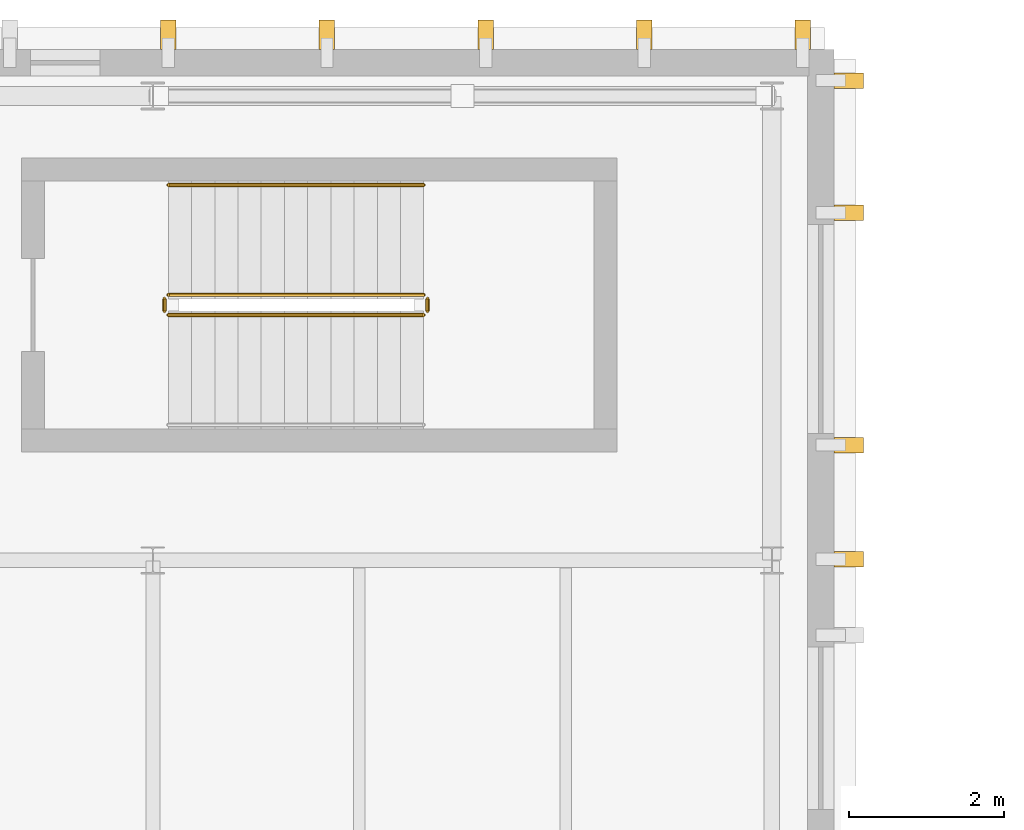
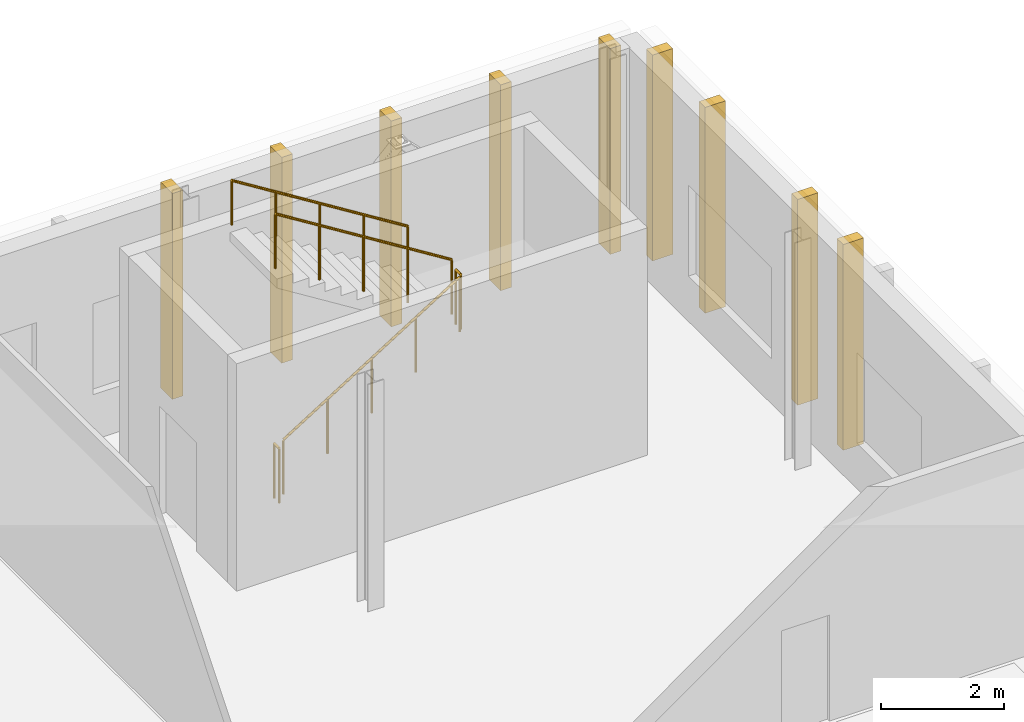
# One storey, part 96 of 100: 9 coverings, 5 railings.
"""IFC4 building model written with IfcOpenShell, lengths in metres."""

from ifc_helpers import new_model, si_unit, direction, frame, origin, origin_2d, place, context, subcontext, project, spatial, rectangle, circle, extrude, material, layer, layer_set, type_object, element, save


model = new_model("IFC4")

# Units and contexts
model_context = context("Model", 3, precision=1e-05, world=origin(), true_north=direction((0.0, 1.0)))
body_context = subcontext(model_context, "Body", "Model", "MODEL_VIEW")
ifc_project = project(units=[si_unit("LENGTHUNIT", "METRE"), si_unit("AREAUNIT", "SQUARE_METRE"), si_unit("VOLUMEUNIT", "CUBIC_METRE"), si_unit("PLANEANGLEUNIT", "RADIAN"), si_unit("MASSUNIT", "GRAM", prefix="KILO")], contexts=[model_context])

# Site, building, storey
site_placement = place(None, origin())
site = spatial("IfcSite", under=ifc_project, at=site_placement, CompositionType="ELEMENT")
building_placement = place(site_placement, origin())
building = spatial("IfcBuilding", under=site, at=building_placement, Name="Cymarion Research Institute", CompositionType="ELEMENT")
storey_placement = place(building_placement, frame((0.0, 0.0, 9.300048828125)))
storey = spatial("IfcBuildingStorey", under=building, at=storey_placement, Name="L02", CompositionType="ELEMENT", Elevation=9.300048828125)

# Railings
ifc_material_1 = material(Name="Steel S355", Category="steel")
railing_type_1 = type_object("IfcRailingType", Name="PAINTED STEEL STAIR GUARDRAIL GR1 1100MM", PredefinedType="GUARDRAIL", material=ifc_material_1)
railing_1_placement = place(storey_placement, frame((38.800048828125, 112.669921875, 0.1875)))
element("IfcRailing", 1, at=railing_1_placement, inside=storey, type_object=railing_type_1, Name="L02 ST10 stair guard 1", PredefinedType="GUARDRAIL", context=body_context, shape_type="SweptSolid", body=[
    extrude(circle(Radius=0.02392578125, at=origin_2d()), frame((0.0, 0.0, 1.076171875), z_axis=(0.848001828478, 0.0, 0.529993300805), x_axis=(0.0, 1.0, 0.0)), (0.0, 0.0, 1.0), 3.8916015625),
    extrude(circle(Radius=0.02099609375, at=origin_2d()), origin(), (0.0, 0.0, 1.0), 1.052001953125),
    extrude(circle(Radius=0.02099609375, at=origin_2d()), frame((0.824951171875, 0.0, 0.515625)), (0.0, 0.0, 1.0), 1.052001953125),
    extrude(circle(Radius=0.02099609375, at=origin_2d()), frame((1.64990234375, 0.0, 1.03125)), (0.0, 0.0, 1.0), 1.052001953125),
    extrude(circle(Radius=0.02099609375, at=origin_2d()), frame((2.47509765625, 0.0, 1.546875)), (0.0, 0.0, 1.0), 1.052001953125),
    extrude(circle(Radius=0.02099609375, at=origin_2d()), frame((3.300048828125, 0.0, 2.0625)), (0.0, 0.0, 1.0), 1.052001953125),
])
railing_2_placement = place(storey_placement, frame((42.14990234375, 112.719970703125, 2.25)))
element("IfcRailing", 2, at=railing_2_placement, inside=storey, type_object=railing_type_1, Name="L02 ST10 stair guard 2", PredefinedType="GUARDRAIL", context=body_context, shape_type="SweptSolid", body=[
    extrude(circle(Radius=0.02392578125, at=origin_2d()), frame((0.0, 0.0, 1.076171875), z_axis=(0.0, 1.0, 0.0), x_axis=(-1.0, 0.0, 0.0)), (0.0, 0.0, 1.0), 0.159912109375),
    extrude(circle(Radius=0.02099609375, at=origin_2d()), origin(), (0.0, 0.0, 1.0), 1.052001953125),
    extrude(circle(Radius=0.02099609375, at=origin_2d()), frame((0.0, 0.159912109375, 0.0)), (0.0, 0.0, 1.0), 1.052001953125),
])
railing_3_placement = place(storey_placement, frame((42.10009765625, 112.929931640625, 2.4375)))
element("IfcRailing", 3, at=railing_3_placement, inside=storey, type_object=railing_type_1, Name="L02 ST10 stair guard 3", PredefinedType="GUARDRAIL", context=body_context, shape_type="SweptSolid", body=[
    extrude(circle(Radius=0.02392578125, at=origin_2d()), frame((0.0, 0.0, 1.076171875), z_axis=(-0.848001828478, 0.0, 0.529993300805), x_axis=(0.0, -1.0, 0.0)), (0.0, 0.0, 1.0), 3.8916015625),
    extrude(circle(Radius=0.02099609375, at=origin_2d()), origin(), (0.0, 0.0, 1.0), 1.052001953125),
    extrude(circle(Radius=0.02099609375, at=origin_2d()), frame((-0.824951171875, 0.0, 0.515625)), (0.0, 0.0, 1.0), 1.052001953125),
    extrude(circle(Radius=0.02099609375, at=origin_2d()), frame((-1.64990234375, 0.0, 1.03125)), (0.0, 0.0, 1.0), 1.052001953125),
    extrude(circle(Radius=0.02099609375, at=origin_2d()), frame((-2.47509765625, 0.0, 1.546875)), (0.0, 0.0, 1.0), 1.052001953125),
    extrude(circle(Radius=0.02099609375, at=origin_2d()), frame((-3.300048828125, 0.0, 2.0625)), (0.0, 0.0, 1.0), 1.052001953125),
])
railing_4_placement = place(storey_placement, frame((38.75, 112.719970703125, 0.0)))
element("IfcRailing", 4, at=railing_4_placement, inside=storey, type_object=railing_type_1, Name="L02 ST10 stair guard 4", PredefinedType="GUARDRAIL", context=body_context, shape_type="SweptSolid", body=[
    extrude(circle(Radius=0.02392578125, at=origin_2d()), frame((0.0, 0.0, 1.076171875), z_axis=(0.0, 1.0, 0.0), x_axis=(-1.0, 0.0, 0.0)), (0.0, 0.0, 1.0), 0.159912109375),
    extrude(circle(Radius=0.02099609375, at=origin_2d()), origin(), (0.0, 0.0, 1.0), 1.052001953125),
    extrude(circle(Radius=0.02099609375, at=origin_2d()), frame((0.0, 0.159912109375, 0.0)), (0.0, 0.0, 1.0), 1.052001953125),
])

# Coverings
ifc_material_2 = material(Name="Precast concrete C45/55 architectural white", Category="concrete")
ifc_layer = layer(ifc_material_2, 0.199951171875)
ifc_layer_set = layer_set([ifc_layer], Name="Precast concrete C45/55 architectural white")
covering_type = type_object("IfcCoveringType", Name="SCULPTURAL WHITE PRECAST CONCRETE VERTICAL RIB RIB1 380X200", PredefinedType="CLADDING", material=ifc_layer_set)
for number, where, z_axis, x_axis, name in (
    (5, (47.592041015625, 109.515380859375, 0.009765625), (0.0, 0.0, 1.0), (1.0, 0.0, 0.0), "L02 V5 sculptural precast vertical rib RIB1 #622"),
    (6, (47.592041015625, 110.98974609375, 0.009765625), (0.0, 0.0, 1.0), (1.0, 0.0, 0.0), "L02 V5 sculptural precast vertical rib RIB1 #623"),
    (7, (47.592041015625, 113.98974609375, 0.009765625), (0.0, 0.0, 1.0), (1.0, 0.0, 0.0), "L02 V5 sculptural precast vertical rib RIB1 #624"),
    (8, (47.592041015625, 115.699951171875, 0.009765625), (0.0, 0.0, 1.0), (1.0, 0.0, 0.0), "L02 V5 sculptural precast vertical rib RIB1 #625"),
    (9, (47.0, 116.2919921875, 0.009765625), (0.0, 0.0, 1.0), (0.0, 1.0, 0.0), "L02 V5 sculptural precast vertical rib RIB1 #627"),
    (10, (44.949951171875, 116.2919921875, 0.009765625), (0.0, 0.0, 1.0), (0.0, 1.0, 0.0), "L02 V5 sculptural precast vertical rib RIB1 #628"),
    (11, (42.89990234375, 116.2919921875, 0.009765625), (0.0, 0.0, 1.0), (0.0, 1.0, 0.0), "L02 V5 sculptural precast vertical rib RIB1 #629"),
    (12, (40.85009765625, 116.2919921875, 0.009765625), (0.0, 0.0, 1.0), (0.0, 1.0, 0.0), "L02 V5 sculptural precast vertical rib RIB1 #630"),
    (13, (38.800048828125, 116.2919921875, 0.009765625), (0.0, 0.0, 1.0), (0.0, 1.0, 0.0), "L02 V5 sculptural precast vertical rib RIB1 #631"),
):
    element("IfcCovering", number, at=place(storey_placement, frame(where, z_axis=z_axis, x_axis=x_axis)), inside=storey, type_object=covering_type, Name=name, PredefinedType="CLADDING", context=body_context, shape_type="SweptSolid", body=[
        extrude(rectangle(XDim=0.3798828125, YDim=0.199951171875, at=origin_2d()), origin(), (0.0, 0.0, 1.0), 4.074951171875),
    ])

# Railing
railing_type_2 = type_object("IfcRailingType", Name="STAINLESS STEEL STAIR HANDRAIL HR1 900MM", PredefinedType="HANDRAIL", material=ifc_material_1)
railing_5_placement = place(storey_placement, frame((42.10009765625, 114.35009765625, 2.4375)))
element("IfcRailing", 14, at=railing_5_placement, inside=storey, type_object=railing_type_2, Name="L02 ST10 stair handrail 2", PredefinedType="HANDRAIL", context=body_context, shape_type="SweptSolid", body=[
    extrude(circle(Radius=0.02392578125, at=origin_2d()), frame((0.0, 0.0, 0.8759765625), z_axis=(-0.848001828478, 0.0, 0.529993300805), x_axis=(0.0, -1.0, 0.0)), (0.0, 0.0, 1.0), 3.8916015625),
    extrude(circle(Radius=0.02099609375, at=origin_2d()), origin(), (0.0, 0.0, 1.0), 0.851806640625),
    extrude(circle(Radius=0.02099609375, at=origin_2d()), frame((-0.824951171875, 0.0, 0.515625)), (0.0, 0.0, 1.0), 0.851806640625),
    extrude(circle(Radius=0.02099609375, at=origin_2d()), frame((-1.64990234375, 0.0, 1.03125)), (0.0, 0.0, 1.0), 0.851806640625),
    extrude(circle(Radius=0.02099609375, at=origin_2d()), frame((-2.47509765625, 0.0, 1.546875)), (0.0, 0.0, 1.0), 0.851806640625),
    extrude(circle(Radius=0.02099609375, at=origin_2d()), frame((-3.300048828125, 0.0, 2.0625)), (0.0, 0.0, 1.0), 0.851806640625),
])

save(model, "model.ifc")
